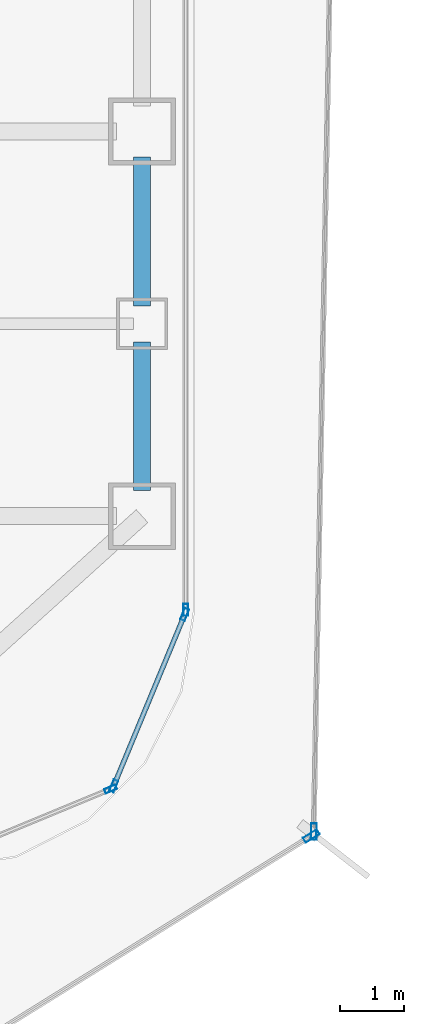
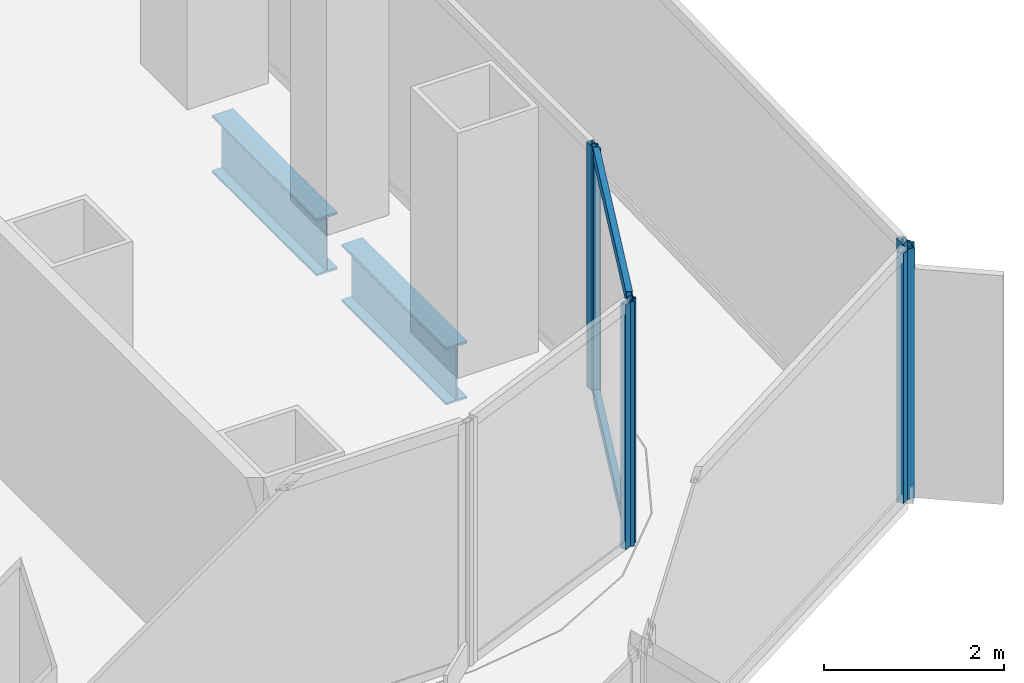
# One storey, part 8 of 22: 8 members, 2 beams, 5 elements without a shape of their own.
"""IFC4 building model written with IfcOpenShell, lengths in metres."""

from ifc_helpers import new_model, si_unit, direction, frame, origin, origin_2d, place, context, subcontext, project, spatial, hollow_rectangle, i_section, extrude, source, transform, mapped, material, layer, layer_set, material_profile, profile_set, type_object, element, aggregate, save


model = new_model("IFC4")

# Units and contexts
model_context = context("Model", 3, precision=1e-05, world=origin(), true_north=direction((0.0, 1.0)))
body_context = subcontext(model_context, "Body", "Model", "MODEL_VIEW")
ifc_project = project(units=[si_unit("LENGTHUNIT", "METRE"), si_unit("AREAUNIT", "SQUARE_METRE"), si_unit("VOLUMEUNIT", "CUBIC_METRE"), si_unit("PLANEANGLEUNIT", "RADIAN"), si_unit("MASSUNIT", "GRAM", prefix="KILO")], contexts=[model_context])

# Site, building, storey
site_placement = place(None, origin())
site = spatial("IfcSite", under=ifc_project, at=site_placement, CompositionType="ELEMENT")
building_placement = place(site_placement, origin())
building = spatial("IfcBuilding", under=site, at=building_placement, Name="Kolveth Station Tower", CompositionType="ELEMENT")
storey_placement = place(building_placement, frame((0.0, 0.0, 81.0)))
storey = spatial("IfcBuildingStorey", under=building, at=storey_placement, Name="L21", CompositionType="ELEMENT", Elevation=81.0)

# Beams
ifc_material_1 = material(Name="Steel S355", Category="steel")
ifc_material_profile_1 = material_profile(ifc_material_1, i_section(OverallWidth=0.26904296875, OverallDepth=0.77490234375, WebThickness=0.01708984375, FlangeThickness=0.0283203125, at=origin_2d()), Name="W760x220")
ifc_profile_set_1 = profile_set([ifc_material_profile_1], Name="Steel S355")
beam_type = type_object("IfcBeamType", Name="Beam_SP1", PredefinedType="SPANDREL", material=ifc_profile_set_1)
shared_shape_1 = source(origin(), body_context, "Body", "SweptSolid", [
    extrude(i_section(OverallWidth=0.26904296875, OverallDepth=0.77490234375, WebThickness=0.01708984375, FlangeThickness=0.0283203125, at=origin_2d()), origin(), (0.0, 0.0, 1.0), 2.320068359375),
])
for number, where, z_axis, x_axis, name in (
    (1, (46.199951171875, 5.89990234375, -0.66748046875), (0.0, 1.0, 0.0), (-1.0, 0.0, 0.0), "L21 Perimeter Spandrel BM-L21-PE-1"),
    (2, (46.199951171875, 8.780029296875, -0.66748046875), (0.0, 1.0, 0.0), (-1.0, 0.0, 0.0), "L21 Perimeter Spandrel BM-L21-PE-2"),
):
    element("IfcBeam", number, at=place(storey_placement, frame(where, z_axis=z_axis, x_axis=x_axis)), inside=storey, type_object=beam_type, Name=name, PredefinedType="SPANDREL", context=body_context, shape_type="MappedRepresentation", body=[
        mapped(shared_shape_1, transform((0.0, 0.0, 0.0), x_axis=(1.0, 0.0, 0.0), y_axis=(0.0, 1.0, 0.0), z_axis=(0.0, 0.0, 1.0), scale=1.0)),
    ])

# Curtain wall, member
ifc_material_2 = material(Name="Aluminium 6063-T6 and low-E dark glass", Category="aluminium")
ifc_layer_1 = layer(ifc_material_2, 0.179931640625)
ifc_layer_set_1 = layer_set([ifc_layer_1], Name="Aluminium 6063-T6 and low-E dark glass")
curtain_wall_type_1 = type_object("IfcCurtainWallType", Name="CurtainWall_CW-Z1", PredefinedType="NOTDEFINED", material=ifc_layer_set_1)
curtain_wall_1_placement = place(storey_placement, origin())
curtain_wall_1 = element("IfcCurtainWall", 3, at=curtain_wall_1_placement, inside=storey, type_object=curtain_wall_type_1, Name="L21 Inner Thermal Curtain Wall 1", PredefinedType="NOTDEFINED")
ifc_material_3 = material(Name="Black anodized aluminium 6063-T6", Category="aluminium")
ifc_material_profile_2 = material_profile(ifc_material_3, hollow_rectangle(XDim=0.074951171875, YDim=0.18994140625, WallThickness=0.0048828125, at=origin_2d()), Name="ALU-75x190x5")
ifc_profile_set_2 = profile_set([ifc_material_profile_2], Name="Black anodized aluminium 6063-T6")
member_type_1 = type_object("IfcMemberType", Name="Mullion_ML1", PredefinedType="MULLION", material=ifc_profile_set_2)
shared_shape_2 = source(origin(), body_context, "Body", "SweptSolid", [
    extrude(hollow_rectangle(XDim=0.074951171875, YDim=0.18994140625, WallThickness=0.0048828125, at=origin_2d()), origin(), (0.0, 0.0, 1.0), 3.320068359375),
])
member_1_placement = place(storey_placement, frame((45.708984375, 1.241943359375, 0.0), z_axis=(0.0, 0.0, 1.0), x_axis=(-0.382672990201, 0.923883857728, 0.0)))
member_1 = element("IfcMember", 4, at=member_1_placement, type_object=member_type_1, Name="CW-Z1 mullion 2", PredefinedType="MULLION", context=body_context, shape_type="MappedRepresentation", body=[
    mapped(shared_shape_2, transform((0.0, 0.0, 0.0), x_axis=(1.0, 0.0, 0.0), y_axis=(0.0, 1.0, 0.0), z_axis=(0.0, 0.0, 1.0), scale=1.0)),
])
aggregate(curtain_wall_1, [member_1])

# Curtain wall, members
curtain_wall_2_placement = place(storey_placement, origin())
curtain_wall_2 = element("IfcCurtainWall", 5, at=curtain_wall_2_placement, inside=storey, type_object=curtain_wall_type_1, Name="L21 Inner Thermal Curtain Wall 2", PredefinedType="NOTDEFINED")
member_2_placement = place(storey_placement, frame((45.758056640625, 1.291015625, 0.0), z_axis=(0.0, 0.0, 1.0), x_axis=(-0.923883857728, 0.382672990201, 0.0)))
member_2 = element("IfcMember", 6, at=member_2_placement, type_object=member_type_1, Name="CW-Z1 mullion 1", PredefinedType="MULLION", context=body_context, shape_type="MappedRepresentation", body=[
    mapped(shared_shape_2, transform((0.0, 0.0, 0.0), x_axis=(1.0, 0.0, 0.0), y_axis=(0.0, 1.0, 0.0), z_axis=(0.0, 0.0, 1.0), scale=1.0)),
])
member_3_placement = place(storey_placement, frame((46.86572265625, 3.96533203125, 0.0), z_axis=(0.0, 0.0, 1.0), x_axis=(-0.923883857728, 0.382672990201, 0.0)))
member_3 = element("IfcMember", 7, at=member_3_placement, type_object=member_type_1, Name="CW-Z1 mullion 2", PredefinedType="MULLION", context=body_context, shape_type="MappedRepresentation", body=[
    mapped(shared_shape_2, transform((0.0, 0.0, 0.0), x_axis=(1.0, 0.0, 0.0), y_axis=(0.0, 1.0, 0.0), z_axis=(0.0, 0.0, 1.0), scale=1.0)),
])

# Curtain wall, member
curtain_wall_3_placement = place(storey_placement, origin())
curtain_wall_3 = element("IfcCurtainWall", 8, at=curtain_wall_3_placement, inside=storey, type_object=curtain_wall_type_1, Name="L21 Inner Thermal Curtain Wall 3", PredefinedType="NOTDEFINED")
member_4_placement = place(storey_placement, frame((46.8798828125, 4.03759765625, 0.0), z_axis=(0.0, 0.0, 1.0), x_axis=(-1.0, 0.0, 0.0)))
member_4 = element("IfcMember", 9, at=member_4_placement, type_object=member_type_1, Name="CW-Z1 mullion 1", PredefinedType="MULLION", context=body_context, shape_type="MappedRepresentation", body=[
    mapped(shared_shape_2, transform((0.0, 0.0, 0.0), x_axis=(1.0, 0.0, 0.0), y_axis=(0.0, 1.0, 0.0), z_axis=(0.0, 0.0, 1.0), scale=1.0)),
])
aggregate(curtain_wall_3, [member_4])

# Member
ifc_material_profile_3 = material_profile(ifc_material_3, hollow_rectangle(XDim=0.074951171875, YDim=0.159912109375, WallThickness=0.0048828125, at=origin_2d()), Name="ALU-75x160x5")
ifc_profile_set_3 = profile_set([ifc_material_profile_3], Name="Black anodized aluminium 6063-T6")
member_type_2 = type_object("IfcMemberType", Name="Transom_TR1", PredefinedType="USERDEFINED", material=ifc_profile_set_3)
shared_shape_3 = source(origin(), body_context, "Body", "SweptSolid", [
    extrude(hollow_rectangle(XDim=0.074951171875, YDim=0.159912109375, WallThickness=0.0048828125, at=origin_2d()), origin(), (0.0, 0.0, 1.0), 2.819580078125),
])
member_5_placement = place(storey_placement, frame((45.772216796875, 1.32568359375, 0.03759765625), z_axis=(0.382708655389, 0.923869084389, 0.0), x_axis=(-0.923869084389, 0.382708655389, 0.0)))
member_5 = element("IfcMember", 10, at=member_5_placement, type_object=member_type_2, Name="CW-Z1 transom 1.1", ObjectType="TRANSOM", PredefinedType="USERDEFINED", context=body_context, shape_type="MappedRepresentation", body=[
    mapped(shared_shape_3, transform((0.0, 0.0, 0.0), x_axis=(1.0, 0.0, 0.0), y_axis=(0.0, 1.0, 0.0), z_axis=(0.0, 0.0, 1.0), scale=1.0)),
])

member_6_placement = place(storey_placement, frame((45.772216796875, 1.32568359375, 3.282470703125), z_axis=(0.382708655389, 0.923869084389, 0.0), x_axis=(-0.923869084389, 0.382708655389, 0.0)))
member_6 = element("IfcMember", 11, at=member_6_placement, type_object=member_type_2, Name="CW-Z1 transom 1.2", ObjectType="TRANSOM", PredefinedType="USERDEFINED", context=body_context, shape_type="MappedRepresentation", body=[
    mapped(shared_shape_3, transform((0.0, 0.0, 0.0), x_axis=(1.0, 0.0, 0.0), y_axis=(0.0, 1.0, 0.0), z_axis=(0.0, 0.0, 1.0), scale=1.0)),
])

aggregate(curtain_wall_2, [member_2, member_3, member_5, member_6])

# Curtain wall, member
ifc_material_4 = material(Name="Black anodized aluminium 6063-T6 and dark solar glass", Category="aluminium")
ifc_layer_2 = layer(ifc_material_4, 0.159912109375)
ifc_layer_set_2 = layer_set([ifc_layer_2], Name="Black anodized aluminium 6063-T6 and dark solar glass")
curtain_wall_type_2 = type_object("IfcCurtainWallType", Name="OUTER SKIN CW-OS", PredefinedType="NOTDEFINED", material=ifc_layer_set_2)
curtain_wall_4_placement = place(storey_placement, origin())
curtain_wall_4 = element("IfcCurtainWall", 12, at=curtain_wall_4_placement, inside=storey, type_object=curtain_wall_type_2, Name="L21 Outer Ventilated Skin Curtain Wall 1", PredefinedType="NOTDEFINED")
ifc_material_profile_4 = material_profile(ifc_material_3, hollow_rectangle(XDim=0.090087890625, YDim=0.260009765625, WallThickness=0.0048828125, at=origin_2d()), Name="ALU-90x260x5")
ifc_profile_set_4 = profile_set([ifc_material_profile_4], Name="Black anodized aluminium 6063-T6")
member_type_3 = type_object("IfcMemberType", Name="FIN MULLION ML-OS", PredefinedType="MULLION", material=ifc_profile_set_4)
shared_shape_4 = source(origin(), body_context, "Body", "SweptSolid", [
    extrude(hollow_rectangle(XDim=0.090087890625, YDim=0.260009765625, WallThickness=0.0048828125, at=origin_2d()), origin(), (0.0, 0.0, 1.0), 3.389892578125),
])
member_7_placement = place(storey_placement, frame((48.841796875, 0.510498046875, 0.0), z_axis=(0.0, 0.0, 1.0), x_axis=(-0.52865968893, 0.848833866725, 0.0)))
member_7 = element("IfcMember", 13, at=member_7_placement, type_object=member_type_3, Name="CW-OS mullion 2", PredefinedType="MULLION", context=body_context, shape_type="MappedRepresentation", body=[
    mapped(shared_shape_4, transform((0.0, 0.0, 0.0), x_axis=(1.0, 0.0, 0.0), y_axis=(0.0, 1.0, 0.0), z_axis=(0.0, 0.0, 1.0), scale=1.0)),
])
aggregate(curtain_wall_4, [member_7])

curtain_wall_5_placement = place(storey_placement, origin())
curtain_wall_5 = element("IfcCurtainWall", 14, at=curtain_wall_5_placement, inside=storey, type_object=curtain_wall_type_2, Name="L21 Outer Ventilated Skin Curtain Wall 2", PredefinedType="NOTDEFINED")
member_8_placement = place(storey_placement, frame((48.880859375, 0.579345703125, 0.0), z_axis=(0.0, 0.0, 1.0), x_axis=(-0.999819843117, 0.018981077673, 0.0)))
member_8 = element("IfcMember", 15, at=member_8_placement, type_object=member_type_3, Name="CW-OS mullion 1", PredefinedType="MULLION", context=body_context, shape_type="MappedRepresentation", body=[
    mapped(shared_shape_4, transform((0.0, 0.0, 0.0), x_axis=(1.0, 0.0, 0.0), y_axis=(0.0, 1.0, 0.0), z_axis=(0.0, 0.0, 1.0), scale=1.0)),
])
aggregate(curtain_wall_5, [member_8])

save(model, "model.ifc")
